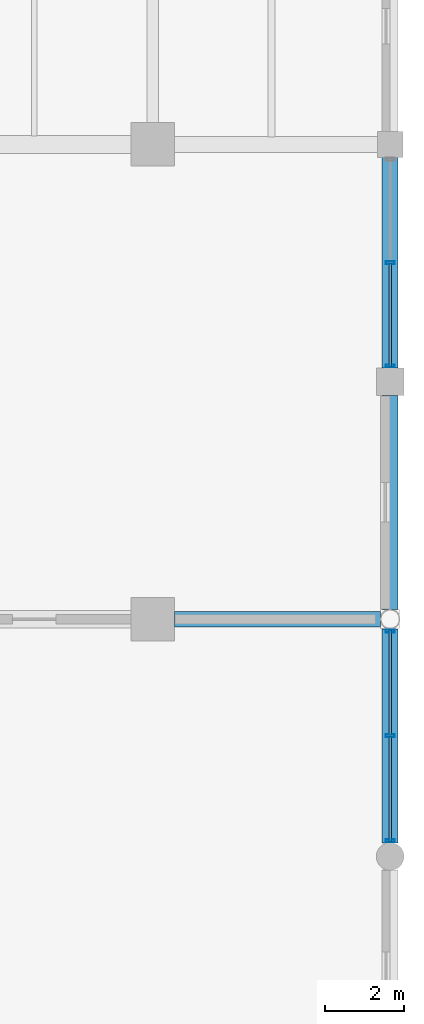
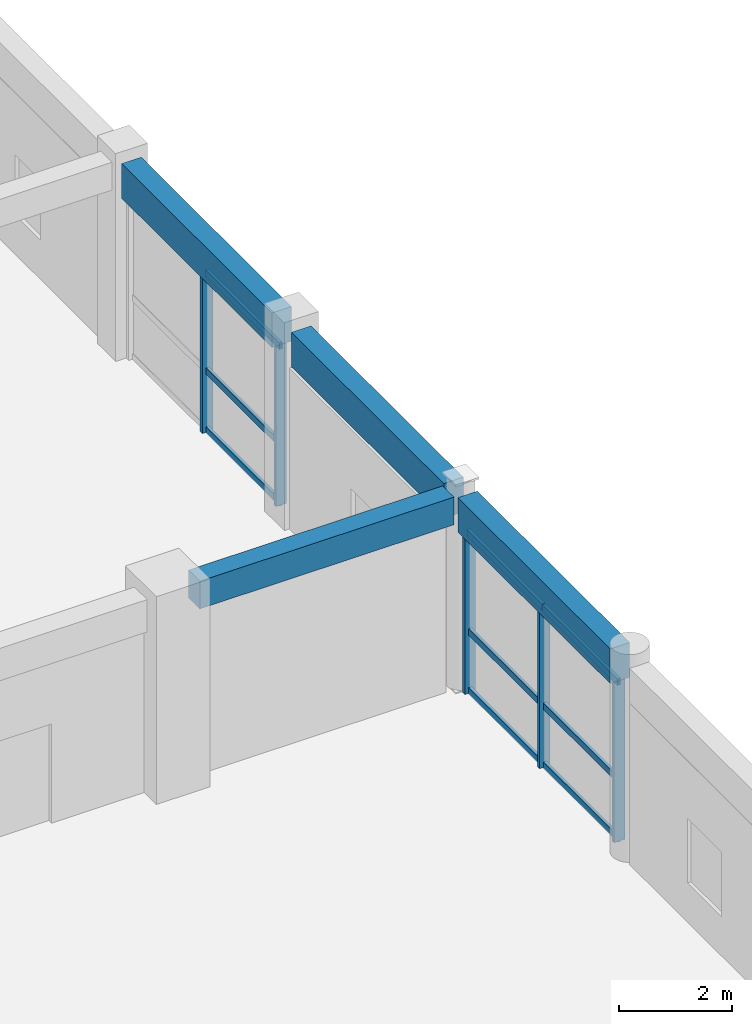
# One storey, part 58 of 116: 14 members, 4 beams, 2 elements without a shape of their own.
"""IFC4 building model written with IfcOpenShell, lengths in metres."""

from ifc_helpers import new_model, si_unit, direction, frame, origin, origin_2d, place, context, subcontext, project, spatial, rectangle, hollow_rectangle, extrude, material, material_profile, profile_set, type_object, element, aggregate, save


model = new_model("IFC4")

# Units and contexts
model_context = context("Model", 3, precision=1e-05, world=origin(), true_north=direction((0.0, 1.0)))
body_context = subcontext(model_context, "Body", "Model", "MODEL_VIEW")
ifc_project = project(units=[si_unit("LENGTHUNIT", "METRE"), si_unit("AREAUNIT", "SQUARE_METRE"), si_unit("VOLUMEUNIT", "CUBIC_METRE"), si_unit("PLANEANGLEUNIT", "RADIAN"), si_unit("MASSUNIT", "GRAM", prefix="KILO"), si_unit("THERMODYNAMICTEMPERATUREUNIT", "KELVIN"), si_unit("POWERUNIT", "WATT")], contexts=[model_context])

# Site, building, storey
site_placement = place(None, origin())
site = spatial("IfcSite", under=ifc_project, at=site_placement, CompositionType="ELEMENT")
building_placement = place(site_placement, origin())
building = spatial("IfcBuilding", under=site, at=building_placement, Name="Phaisarnlok Congress Hotel", CompositionType="ELEMENT")
storey_placement = place(building_placement, frame((0.0, 0.0, 10.5)))
storey = spatial("IfcBuildingStorey", under=building, at=storey_placement, Name="L02", CompositionType="ELEMENT", Elevation=10.5)

# Beam
ifc_material_1 = material(Name="Concrete C40/50", Category="concrete")
ifc_material_profile_1 = material_profile(ifc_material_1, rectangle(XDim=0.39990234375, YDim=0.60009765625, at=origin_2d()), Name="RC 400x600")
ifc_profile_set_1 = profile_set([ifc_material_profile_1], Name="Concrete C40/50")
beam_type_1 = type_object("IfcBeamType", Name="BM-RC-400x600", PredefinedType="BEAM", material=ifc_profile_set_1)
beam_1_placement = place(storey_placement, frame((174.544921875, 54.0, 3.93994140625), z_axis=(1.0, 0.0, 0.0), x_axis=(0.0, 1.0, 0.0)))
element("IfcBeam", 1, at=beam_1_placement, inside=storey, type_object=beam_type_1, Name="Beam B-02", PredefinedType="BEAM", context=body_context, shape_type="SweptSolid", body=[
    extrude(rectangle(XDim=0.39990234375, YDim=0.60009765625, at=origin_2d()), origin(), (0.0, 0.0, 1.0), 5.2060546875),
])

# Curtain wall, members
ifc_material_2 = material(Name="Thermally Broken Unitised Aluminium & Low-E Glazing", Category="aluminium")
curtain_wall_type_1 = type_object("IfcCurtainWallType", Name="CW-UNIT-17", PredefinedType="NOTDEFINED", material=ifc_material_2)
curtain_wall_1_placement = place(storey_placement, origin())
curtain_wall_1 = element("IfcCurtainWall", 2, at=curtain_wall_1_placement, inside=storey, type_object=curtain_wall_type_1, Name="Unitised curtain wall CW-17 (L02)", PredefinedType="NOTDEFINED")
ifc_material_3 = material(Name="Anodised Aluminium Alloy 6063-T6", Category="aluminium")
ifc_material_profile_2 = material_profile(ifc_material_3, hollow_rectangle(XDim=0.074951171875, YDim=0.219970703125, WallThickness=0.0048828125, at=origin_2d()), Name="ALU-M 75x220x5")
ifc_profile_set_2 = profile_set([ifc_material_profile_2], Name="Anodised Aluminium Alloy 6063-T6")
member_type_1 = type_object("IfcMemberType", Name="CWM-220", PredefinedType="MULLION", material=ifc_profile_set_2)
member_1_placement = place(storey_placement, frame((180.0, 48.39990234375, 0.0), z_axis=(0.0, 0.0, 1.0), x_axis=(0.0, 1.0, 0.0)))
member_1 = element("IfcMember", 3, at=member_1_placement, type_object=member_type_1, Name="Curtain wall mullion CWM-02", PredefinedType="MULLION", context=body_context, shape_type="SweptSolid", body=[
    extrude(hollow_rectangle(XDim=0.074951171875, YDim=0.219970703125, WallThickness=0.0048828125, at=origin_2d()), origin(), (0.0, 0.0, 1.0), 3.489990234375),
])
member_2_placement = place(storey_placement, frame((180.0, 51.048095703125, 0.0), z_axis=(0.0, 0.0, 1.0), x_axis=(0.0, 1.0, 0.0)))
member_2 = element("IfcMember", 4, at=member_2_placement, type_object=member_type_1, Name="Curtain wall mullion CWM-02", PredefinedType="MULLION", context=body_context, shape_type="SweptSolid", body=[
    extrude(hollow_rectangle(XDim=0.074951171875, YDim=0.219970703125, WallThickness=0.0048828125, at=origin_2d()), origin(), (0.0, 0.0, 1.0), 3.489990234375),
])
member_3_placement = place(storey_placement, frame((180.0, 53.696044921875, 0.0), z_axis=(0.0, 0.0, 1.0), x_axis=(0.0, 1.0, 0.0)))
member_3 = element("IfcMember", 5, at=member_3_placement, type_object=member_type_1, Name="Curtain wall mullion CWM-02", PredefinedType="MULLION", context=body_context, shape_type="SweptSolid", body=[
    extrude(hollow_rectangle(XDim=0.074951171875, YDim=0.219970703125, WallThickness=0.0048828125, at=origin_2d()), origin(), (0.0, 0.0, 1.0), 3.489990234375),
])

curtain_wall_type_2 = type_object("IfcCurtainWallType", Name="CW-UNIT-16", PredefinedType="NOTDEFINED", material=ifc_material_2)
curtain_wall_2_placement = place(storey_placement, origin())
curtain_wall_2 = element("IfcCurtainWall", 6, at=curtain_wall_2_placement, inside=storey, type_object=curtain_wall_type_2, Name="Unitised curtain wall CW-16 (L02)", PredefinedType="NOTDEFINED")
member_4_placement = place(storey_placement, frame((180.0, 60.39990234375, 0.0), z_axis=(0.0, 0.0, 1.0), x_axis=(0.0, 1.0, 0.0)))
member_4 = element("IfcMember", 7, at=member_4_placement, type_object=member_type_1, Name="Curtain wall mullion CWM-02", PredefinedType="MULLION", context=body_context, shape_type="SweptSolid", body=[
    extrude(hollow_rectangle(XDim=0.074951171875, YDim=0.219970703125, WallThickness=0.0048828125, at=origin_2d()), origin(), (0.0, 0.0, 1.0), 3.489990234375),
])
member_5_placement = place(storey_placement, frame((180.0, 63.012451171875, 0.0), z_axis=(0.0, 0.0, 1.0), x_axis=(0.0, 1.0, 0.0)))
member_5 = element("IfcMember", 8, at=member_5_placement, type_object=member_type_1, Name="Curtain wall mullion CWM-02", PredefinedType="MULLION", context=body_context, shape_type="SweptSolid", body=[
    extrude(hollow_rectangle(XDim=0.074951171875, YDim=0.219970703125, WallThickness=0.0048828125, at=origin_2d()), origin(), (0.0, 0.0, 1.0), 3.489990234375),
])

# Member
ifc_material_profile_3 = material_profile(ifc_material_3, hollow_rectangle(XDim=0.06494140625, YDim=0.139892578125, WallThickness=0.00390625, at=origin_2d()), Name="ALU-T 65x140x4")
ifc_profile_set_3 = profile_set([ifc_material_profile_3], Name="Anodised Aluminium Alloy 6063-T6")
member_type_2 = type_object("IfcMemberType", Name="CWT-150", PredefinedType="USERDEFINED", material=ifc_profile_set_3)
member_6_placement = place(storey_placement, frame((180.0, 48.375, 0.050048828125), z_axis=(0.0, 1.0, 0.0), x_axis=(-1.0, 0.0, 0.0)))
member_6 = element("IfcMember", 9, at=member_6_placement, type_object=member_type_2, Name="Curtain wall transom CWT-01", ObjectType="TRANSOM", PredefinedType="USERDEFINED", context=body_context, shape_type="SweptSolid", body=[
    extrude(hollow_rectangle(XDim=0.06494140625, YDim=0.139892578125, WallThickness=0.00390625, at=origin_2d()), origin(), (0.0, 0.0, 1.0), 2.657958984375),
])

member_7_placement = place(storey_placement, frame((180.0, 48.375, 1.326171875), z_axis=(0.0, 1.0, 0.0), x_axis=(-1.0, 0.0, 0.0)))
member_7 = element("IfcMember", 10, at=member_7_placement, type_object=member_type_2, Name="Curtain wall transom CWT-01", ObjectType="TRANSOM", PredefinedType="USERDEFINED", context=body_context, shape_type="SweptSolid", body=[
    extrude(hollow_rectangle(XDim=0.06494140625, YDim=0.139892578125, WallThickness=0.00390625, at=origin_2d()), origin(), (0.0, 0.0, 1.0), 2.657958984375),
])

member_8_placement = place(storey_placement, frame((180.0, 48.375, 3.43994140625), z_axis=(0.0, 1.0, 0.0), x_axis=(-1.0, 0.0, 0.0)))
member_8 = element("IfcMember", 11, at=member_8_placement, type_object=member_type_2, Name="Curtain wall transom CWT-01", ObjectType="TRANSOM", PredefinedType="USERDEFINED", context=body_context, shape_type="SweptSolid", body=[
    extrude(hollow_rectangle(XDim=0.06494140625, YDim=0.139892578125, WallThickness=0.00390625, at=origin_2d()), origin(), (0.0, 0.0, 1.0), 2.657958984375),
])

member_9_placement = place(storey_placement, frame((180.0, 51.06298828125, 0.050048828125), z_axis=(0.0, 1.0, 0.0), x_axis=(-1.0, 0.0, 0.0)))
member_9 = element("IfcMember", 12, at=member_9_placement, type_object=member_type_2, Name="Curtain wall transom CWT-01", ObjectType="TRANSOM", PredefinedType="USERDEFINED", context=body_context, shape_type="SweptSolid", body=[
    extrude(hollow_rectangle(XDim=0.06494140625, YDim=0.139892578125, WallThickness=0.00390625, at=origin_2d()), origin(), (0.0, 0.0, 1.0), 2.657958984375),
])

member_10_placement = place(storey_placement, frame((180.0, 51.06298828125, 1.326171875), z_axis=(0.0, 1.0, 0.0), x_axis=(-1.0, 0.0, 0.0)))
member_10 = element("IfcMember", 13, at=member_10_placement, type_object=member_type_2, Name="Curtain wall transom CWT-01", ObjectType="TRANSOM", PredefinedType="USERDEFINED", context=body_context, shape_type="SweptSolid", body=[
    extrude(hollow_rectangle(XDim=0.06494140625, YDim=0.139892578125, WallThickness=0.00390625, at=origin_2d()), origin(), (0.0, 0.0, 1.0), 2.657958984375),
])

member_11_placement = place(storey_placement, frame((180.0, 51.06298828125, 3.43994140625), z_axis=(0.0, 1.0, 0.0), x_axis=(-1.0, 0.0, 0.0)))
member_11 = element("IfcMember", 14, at=member_11_placement, type_object=member_type_2, Name="Curtain wall transom CWT-01", ObjectType="TRANSOM", PredefinedType="USERDEFINED", context=body_context, shape_type="SweptSolid", body=[
    extrude(hollow_rectangle(XDim=0.06494140625, YDim=0.139892578125, WallThickness=0.00390625, at=origin_2d()), origin(), (0.0, 0.0, 1.0), 2.657958984375),
])

aggregate(curtain_wall_1, [member_1, member_2, member_3, member_6, member_7, member_8, member_9, member_10, member_11])

member_12_placement = place(storey_placement, frame((180.0, 60.375, 0.050048828125), z_axis=(0.0, 1.0, 0.0), x_axis=(-1.0, 0.0, 0.0)))
member_12 = element("IfcMember", 15, at=member_12_placement, type_object=member_type_2, Name="Curtain wall transom CWT-01", ObjectType="TRANSOM", PredefinedType="USERDEFINED", context=body_context, shape_type="SweptSolid", body=[
    extrude(hollow_rectangle(XDim=0.06494140625, YDim=0.139892578125, WallThickness=0.00390625, at=origin_2d()), origin(), (0.0, 0.0, 1.0), 2.62255859375),
])

member_13_placement = place(storey_placement, frame((180.0, 60.375, 1.326171875), z_axis=(0.0, 1.0, 0.0), x_axis=(-1.0, 0.0, 0.0)))
member_13 = element("IfcMember", 16, at=member_13_placement, type_object=member_type_2, Name="Curtain wall transom CWT-01", ObjectType="TRANSOM", PredefinedType="USERDEFINED", context=body_context, shape_type="SweptSolid", body=[
    extrude(hollow_rectangle(XDim=0.06494140625, YDim=0.139892578125, WallThickness=0.00390625, at=origin_2d()), origin(), (0.0, 0.0, 1.0), 2.62255859375),
])

member_14_placement = place(storey_placement, frame((180.0, 60.375, 3.43994140625), z_axis=(0.0, 1.0, 0.0), x_axis=(-1.0, 0.0, 0.0)))
member_14 = element("IfcMember", 17, at=member_14_placement, type_object=member_type_2, Name="Curtain wall transom CWT-01", ObjectType="TRANSOM", PredefinedType="USERDEFINED", context=body_context, shape_type="SweptSolid", body=[
    extrude(hollow_rectangle(XDim=0.06494140625, YDim=0.139892578125, WallThickness=0.00390625, at=origin_2d()), origin(), (0.0, 0.0, 1.0), 2.62255859375),
])

aggregate(curtain_wall_2, [member_4, member_5, member_12, member_13, member_14])

# Beams
ifc_material_profile_4 = material_profile(ifc_material_1, rectangle(XDim=0.39990234375, YDim=0.75, at=origin_2d()), Name="RC 400x750")
ifc_profile_set_4 = profile_set([ifc_material_profile_4], Name="Concrete C40/50")
beam_type_2 = type_object("IfcBeamType", Name="SP-RC-400x750", PredefinedType="SPANDREL", material=ifc_profile_set_4)
for number, where, z_axis, x_axis, name in (
    (18, (180.0, 48.344970703125, 3.864990234375), (0.0, 1.0, 0.0), (-1.0, 0.0, 0.0), "Beam SP-02"),
    (19, (180.0, 54.2490234375, 3.864990234375), (0.0, 1.0, 0.0), (-1.0, 0.0, 0.0), "Beam SP-02"),
):
    element("IfcBeam", number, at=place(storey_placement, frame(where, z_axis=z_axis, x_axis=x_axis)), inside=storey, type_object=beam_type_2, Name=name, PredefinedType="SPANDREL", context=body_context, shape_type="SweptSolid", body=[
        extrude(rectangle(XDim=0.39990234375, YDim=0.75, at=origin_2d()), origin(), (0.0, 0.0, 1.0), 5.406005859375),
    ])
beam_2_placement = place(storey_placement, frame((180.0, 60.344970703125, 3.864990234375), z_axis=(0.0, 1.0, 0.0), x_axis=(-1.0, 0.0, 0.0)))
element("IfcBeam", 20, at=beam_2_placement, inside=storey, type_object=beam_type_2, Name="Beam SP-02", PredefinedType="SPANDREL", context=body_context, shape_type="SweptSolid", body=[
    extrude(rectangle(XDim=0.39990234375, YDim=0.75, at=origin_2d()), origin(), (0.0, 0.0, 1.0), 5.3349609375),
])

save(model, "model.ifc")
